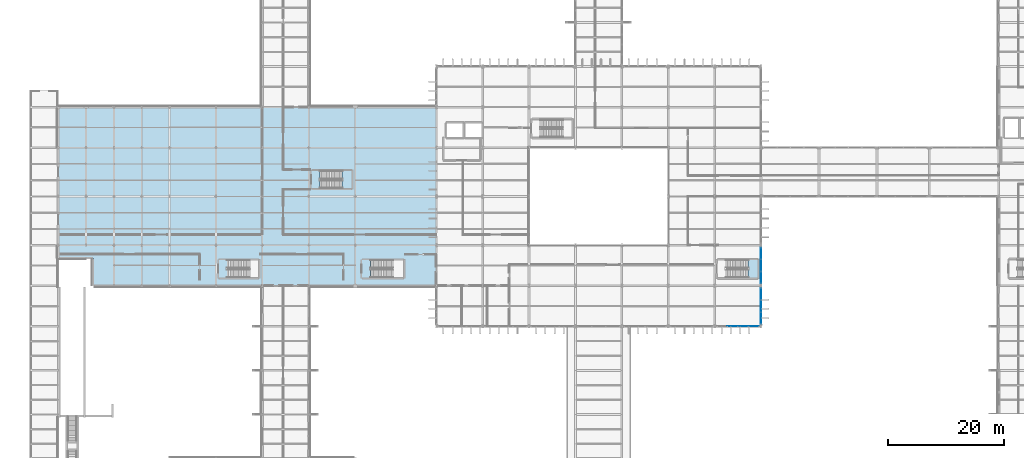
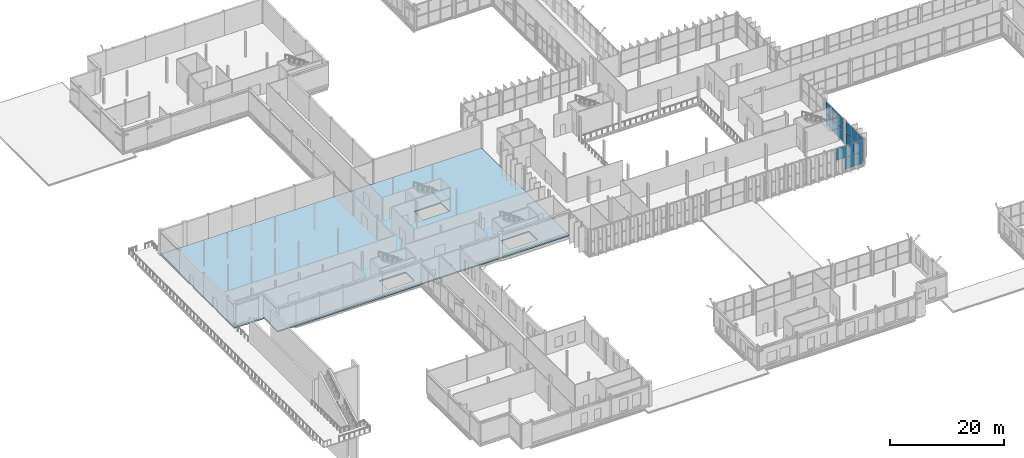
# One storey, part 101 of 147: 17 plates, 3 slabs, 5 elements without a shape of their own.
"""IFC4 building model written with IfcOpenShell, lengths in metres."""

from ifc_helpers import new_model, si_unit, direction, frame, origin, origin_2d, place, context, subcontext, project, spatial, polyline, rectangle, outline, extrude, material, layer, layer_set, type_object, element, aggregate, save


model = new_model("IFC4")

# Units and contexts
model_context = context("Model", 3, precision=1e-05, world=origin(), true_north=direction((0.0, 1.0)))
body_context = subcontext(model_context, "Body", "Model", "MODEL_VIEW")
ifc_project = project(units=[si_unit("LENGTHUNIT", "METRE"), si_unit("AREAUNIT", "SQUARE_METRE"), si_unit("VOLUMEUNIT", "CUBIC_METRE"), si_unit("PLANEANGLEUNIT", "RADIAN"), si_unit("MASSUNIT", "GRAM", prefix="KILO")], contexts=[model_context])

# Site, building, storey
site_placement = place(None, origin())
site = spatial("IfcSite", under=ifc_project, at=site_placement, CompositionType="ELEMENT")
building_placement = place(site_placement, origin())
building = spatial("IfcBuilding", under=site, at=building_placement, Name="Vekula Escarpment Museum", CompositionType="ELEMENT")
storey_placement = place(building_placement, frame((0.0, 0.0, 7.800048828125)))
storey = spatial("IfcBuildingStorey", under=building, at=storey_placement, Name="L02", CompositionType="ELEMENT", Elevation=7.800048828125)

# Curtain wall, plates
ifc_material_1 = material(Name="Aluminium thermally broken framing", Category="aluminium")
ifc_layer_1 = layer(ifc_material_1, 0.169921875)
ifc_layer_set_1 = layer_set([ifc_layer_1], Name="Aluminium thermally broken framing")
curtain_wall_type_1 = type_object("IfcCurtainWallType", Name="CW-SYS-10", PredefinedType="NOTDEFINED", material=ifc_layer_set_1)
curtain_wall_1_placement = place(storey_placement, origin())
curtain_wall_1 = element("IfcCurtainWall", 1, at=curtain_wall_1_placement, inside=storey, type_object=curtain_wall_type_1, Name="Curtain Wall CW-L02-060", PredefinedType="NOTDEFINED")
ifc_material_2 = material(Name="Double solar-control low-E glass", Category="glass")
ifc_layer_2 = layer(ifc_material_2, 0.028076171875)
ifc_layer_set_2 = layer_set([ifc_layer_2], Name="Double solar-control low-E glass")
plate_type_1 = type_object("IfcPlateType", Name="CW-PNL-28", PredefinedType="CURTAIN_PANEL", material=ifc_layer_set_2)
plate_1_placement = place(storey_placement, frame((126.0, 47.02294921875, 0.06494140625), z_axis=(0.0, 0.0, 1.0), x_axis=(0.0, 1.0, 0.0)))
plate_1 = element("IfcPlate", 2, at=plate_1_placement, type_object=plate_type_1, Name="CW-10 panel 1.1", PredefinedType="CURTAIN_PANEL", context=body_context, shape_type="SweptSolid", body=[
    extrude(rectangle(XDim=1.995849609375, YDim=0.028076171875, at=origin_2d()), origin(), (0.0, 0.0, 1.0), 2.4775390625),
])
plate_2_placement = place(storey_placement, frame((126.0, 47.02294921875, 2.607421875), z_axis=(0.0, 0.0, 1.0), x_axis=(0.0, 1.0, 0.0)))
plate_2 = element("IfcPlate", 3, at=plate_2_placement, type_object=plate_type_1, Name="CW-10 panel 1.2", PredefinedType="CURTAIN_PANEL", context=body_context, shape_type="SweptSolid", body=[
    extrude(rectangle(XDim=1.995849609375, YDim=0.028076171875, at=origin_2d()), origin(), (0.0, 0.0, 1.0), 2.4775390625),
])
plate_3_placement = place(storey_placement, frame((126.0, 49.10009765625, 0.06494140625), z_axis=(0.0, 0.0, 1.0), x_axis=(0.0, 1.0, 0.0)))
plate_3 = element("IfcPlate", 4, at=plate_3_placement, type_object=plate_type_1, Name="CW-10 panel 2.1", PredefinedType="CURTAIN_PANEL", context=body_context, shape_type="SweptSolid", body=[
    extrude(rectangle(XDim=2.0283203125, YDim=0.028076171875, at=origin_2d()), origin(), (0.0, 0.0, 1.0), 2.4775390625),
])
plate_4_placement = place(storey_placement, frame((126.0, 49.10009765625, 2.607421875), z_axis=(0.0, 0.0, 1.0), x_axis=(0.0, 1.0, 0.0)))
plate_4 = element("IfcPlate", 5, at=plate_4_placement, type_object=plate_type_1, Name="CW-10 panel 2.2", PredefinedType="CURTAIN_PANEL", context=body_context, shape_type="SweptSolid", body=[
    extrude(rectangle(XDim=2.0283203125, YDim=0.028076171875, at=origin_2d()), origin(), (0.0, 0.0, 1.0), 2.4775390625),
])
plate_5_placement = place(storey_placement, frame((126.0, 51.177001953125, 0.06494140625), z_axis=(0.0, 0.0, 1.0), x_axis=(0.0, 1.0, 0.0)))
plate_5 = element("IfcPlate", 6, at=plate_5_placement, type_object=plate_type_1, Name="CW-10 panel 3.1", PredefinedType="CURTAIN_PANEL", context=body_context, shape_type="SweptSolid", body=[
    extrude(rectangle(XDim=1.995849609375, YDim=0.028076171875, at=origin_2d()), origin(), (0.0, 0.0, 1.0), 2.4775390625),
])
plate_6_placement = place(storey_placement, frame((126.0, 51.177001953125, 2.607421875), z_axis=(0.0, 0.0, 1.0), x_axis=(0.0, 1.0, 0.0)))
plate_6 = element("IfcPlate", 7, at=plate_6_placement, type_object=plate_type_1, Name="CW-10 panel 3.2", PredefinedType="CURTAIN_PANEL", context=body_context, shape_type="SweptSolid", body=[
    extrude(rectangle(XDim=1.995849609375, YDim=0.028076171875, at=origin_2d()), origin(), (0.0, 0.0, 1.0), 2.4775390625),
])
aggregate(curtain_wall_1, [plate_1, plate_2, plate_3, plate_4, plate_5, plate_6])

ifc_material_3 = material(Name="Aluminium thermally broken framing", Category="aluminium")
ifc_layer_3 = layer(ifc_material_3, 0.159912109375)
ifc_layer_set_3 = layer_set([ifc_layer_3], Name="Aluminium thermally broken framing")
curtain_wall_type_2 = type_object("IfcCurtainWallType", Name="CW-SYS-01", PredefinedType="NOTDEFINED", material=ifc_layer_set_3)
curtain_wall_2_placement = place(storey_placement, origin())
curtain_wall_2 = element("IfcCurtainWall", 8, at=curtain_wall_2_placement, inside=storey, type_object=curtain_wall_type_2, Name="Curtain Wall CW-L02-061", PredefinedType="NOTDEFINED")
ifc_material_4 = material(Name="Acoustic laminated double low-E glass", Category="glass")
ifc_layer_4 = layer(ifc_material_4, 0.031982421875)
ifc_layer_set_4 = layer_set([ifc_layer_4], Name="Acoustic laminated double low-E glass")
plate_type_2 = type_object("IfcPlateType", Name="CW-PNL-32", PredefinedType="CURTAIN_PANEL", material=ifc_layer_set_4)
plate_7_placement = place(storey_placement, frame((126.0, 54.02294921875, 0.06494140625), z_axis=(0.0, 0.0, 1.0), x_axis=(0.0, 1.0, 0.0)))
plate_7 = element("IfcPlate", 9, at=plate_7_placement, type_object=plate_type_2, Name="CW-01 panel 1.1", PredefinedType="CURTAIN_PANEL", context=body_context, shape_type="SweptSolid", body=[
    extrude(rectangle(XDim=1.995849609375, YDim=0.031982421875, at=origin_2d()), origin(), (0.0, 0.0, 1.0), 2.4775390625),
])
plate_8_placement = place(storey_placement, frame((126.0, 54.02294921875, 2.607421875), z_axis=(0.0, 0.0, 1.0), x_axis=(0.0, 1.0, 0.0)))
plate_8 = element("IfcPlate", 10, at=plate_8_placement, type_object=plate_type_2, Name="CW-01 panel 1.2", PredefinedType="CURTAIN_PANEL", context=body_context, shape_type="SweptSolid", body=[
    extrude(rectangle(XDim=1.995849609375, YDim=0.031982421875, at=origin_2d()), origin(), (0.0, 0.0, 1.0), 2.4775390625),
])
plate_9_placement = place(storey_placement, frame((126.0, 56.10009765625, 0.06494140625), z_axis=(0.0, 0.0, 1.0), x_axis=(0.0, 1.0, 0.0)))
plate_9 = element("IfcPlate", 11, at=plate_9_placement, type_object=plate_type_2, Name="CW-01 panel 2.1", PredefinedType="CURTAIN_PANEL", context=body_context, shape_type="SweptSolid", body=[
    extrude(rectangle(XDim=2.0283203125, YDim=0.031982421875, at=origin_2d()), origin(), (0.0, 0.0, 1.0), 2.4775390625),
])
plate_10_placement = place(storey_placement, frame((126.0, 56.10009765625, 2.607421875), z_axis=(0.0, 0.0, 1.0), x_axis=(0.0, 1.0, 0.0)))
plate_10 = element("IfcPlate", 12, at=plate_10_placement, type_object=plate_type_2, Name="CW-01 panel 2.2", PredefinedType="CURTAIN_PANEL", context=body_context, shape_type="SweptSolid", body=[
    extrude(rectangle(XDim=2.0283203125, YDim=0.031982421875, at=origin_2d()), origin(), (0.0, 0.0, 1.0), 2.4775390625),
])
plate_11_placement = place(storey_placement, frame((126.0, 58.177001953125, 0.06494140625), z_axis=(0.0, 0.0, 1.0), x_axis=(0.0, 1.0, 0.0)))
plate_11 = element("IfcPlate", 13, at=plate_11_placement, type_object=plate_type_2, Name="CW-01 panel 3.1", PredefinedType="CURTAIN_PANEL", context=body_context, shape_type="SweptSolid", body=[
    extrude(rectangle(XDim=1.995849609375, YDim=0.031982421875, at=origin_2d()), origin(), (0.0, 0.0, 1.0), 2.4775390625),
])
plate_12_placement = place(storey_placement, frame((126.0, 58.177001953125, 2.607421875), z_axis=(0.0, 0.0, 1.0), x_axis=(0.0, 1.0, 0.0)))
plate_12 = element("IfcPlate", 14, at=plate_12_placement, type_object=plate_type_2, Name="CW-01 panel 3.2", PredefinedType="CURTAIN_PANEL", context=body_context, shape_type="SweptSolid", body=[
    extrude(rectangle(XDim=1.995849609375, YDim=0.031982421875, at=origin_2d()), origin(), (0.0, 0.0, 1.0), 2.4775390625),
])
aggregate(curtain_wall_2, [plate_7, plate_8, plate_9, plate_10, plate_11, plate_12])

ifc_material_5 = material(Name="Aluminium thermally broken framing", Category="aluminium")
ifc_layer_5 = layer(ifc_material_5, 0.14990234375)
ifc_layer_set_5 = layer_set([ifc_layer_5], Name="Aluminium thermally broken framing")
curtain_wall_type_3 = type_object("IfcCurtainWallType", Name="CW-SYS-09", PredefinedType="NOTDEFINED", material=ifc_layer_set_5)
curtain_wall_3_placement = place(storey_placement, origin())
curtain_wall_3 = element("IfcCurtainWall", 15, at=curtain_wall_3_placement, inside=storey, type_object=curtain_wall_type_3, Name="Curtain Wall CW-L02-059", PredefinedType="NOTDEFINED")
ifc_material_6 = material(Name="Insulated bronze spandrel glass panel", Category="glass")
ifc_layer_6 = layer(ifc_material_6, 0.0400390625)
ifc_layer_set_6 = layer_set([ifc_layer_6], Name="Insulated bronze spandrel glass panel")
plate_type_3 = type_object("IfcPlateType", Name="CW-PNL-40", PredefinedType="CURTAIN_PANEL", material=ifc_layer_set_6)
plate_13_placement = place(storey_placement, frame((121.090087890625, 45.60009765625, 2.607421875), z_axis=(0.0, 0.0, 1.0), x_axis=(1.0, 0.0, 0.0)))
plate_13 = element("IfcPlate", 16, at=plate_13_placement, type_object=plate_type_3, Name="CW-09 panel 2.2", PredefinedType="CURTAIN_PANEL", context=body_context, shape_type="SweptSolid", body=[
    extrude(rectangle(XDim=1.7548828125, YDim=0.0400390625, at=origin_2d()), origin(), (0.0, 0.0, 1.0), 2.4775390625),
])
plate_14_placement = place(storey_placement, frame((122.909912109375, 45.60009765625, 0.06494140625), z_axis=(0.0, 0.0, 1.0), x_axis=(1.0, 0.0, 0.0)))
plate_14 = element("IfcPlate", 17, at=plate_14_placement, type_object=plate_type_3, Name="CW-09 panel 3.1", PredefinedType="CURTAIN_PANEL", context=body_context, shape_type="SweptSolid", body=[
    extrude(rectangle(XDim=1.7548828125, YDim=0.0400390625, at=origin_2d()), origin(), (0.0, 0.0, 1.0), 2.4775390625),
])
plate_15_placement = place(storey_placement, frame((122.909912109375, 45.60009765625, 2.607421875), z_axis=(0.0, 0.0, 1.0), x_axis=(1.0, 0.0, 0.0)))
plate_15 = element("IfcPlate", 18, at=plate_15_placement, type_object=plate_type_3, Name="CW-09 panel 3.2", PredefinedType="CURTAIN_PANEL", context=body_context, shape_type="SweptSolid", body=[
    extrude(rectangle(XDim=1.7548828125, YDim=0.0400390625, at=origin_2d()), origin(), (0.0, 0.0, 1.0), 2.4775390625),
])
plate_16_placement = place(storey_placement, frame((124.7138671875, 45.60009765625, 0.06494140625), z_axis=(0.0, 0.0, 1.0), x_axis=(1.0, 0.0, 0.0)))
plate_16 = element("IfcPlate", 19, at=plate_16_placement, type_object=plate_type_3, Name="CW-09 panel 4.1", PredefinedType="CURTAIN_PANEL", context=body_context, shape_type="SweptSolid", body=[
    extrude(rectangle(XDim=1.722412109375, YDim=0.0400390625, at=origin_2d()), origin(), (0.0, 0.0, 1.0), 2.4775390625),
])
plate_17_placement = place(storey_placement, frame((124.7138671875, 45.60009765625, 2.607421875), z_axis=(0.0, 0.0, 1.0), x_axis=(1.0, 0.0, 0.0)))
plate_17 = element("IfcPlate", 20, at=plate_17_placement, type_object=plate_type_3, Name="CW-09 panel 4.2", PredefinedType="CURTAIN_PANEL", context=body_context, shape_type="SweptSolid", body=[
    extrude(rectangle(XDim=1.722412109375, YDim=0.0400390625, at=origin_2d()), origin(), (0.0, 0.0, 1.0), 2.4775390625),
])
aggregate(curtain_wall_3, [plate_13, plate_14, plate_15, plate_16, plate_17])

# Slab
ifc_material_7 = material(Name="Concrete C35/45", Category="concrete")
ifc_layer_7 = layer(ifc_material_7, 0.260009765625)
ifc_layer_set_7 = layer_set([ifc_layer_7], Name="Concrete C35/45")
slab_type_1 = type_object("IfcSlabType", Name="SL-FLR-260", PredefinedType="FLOOR", material=ifc_layer_set_7)
slab_1_placement = place(storey_placement, frame((0.0, 0.0, -0.260009765625)))
element("IfcSlab", 21, at=slab_1_placement, inside=storey, type_object=slab_type_1, Name="Floor Slab W-L02-V2-W", PredefinedType="FLOOR", context=body_context, shape_type="SweptSolid", body=[
    extrude(outline(polyline([(10.800048828125, 52.60009765625), (70.0, 52.60009765625), (70.0, 83.39990234375), (4.800048828125, 83.39990234375), (4.800048828125, 57.39990234375), (10.800048828125, 57.39990234375), (10.800048828125, 52.60009765625)]), holes=[polyline([(58.679931640625, 54.0), (64.39990234375, 54.0), (64.39990234375, 57.0400390625), (58.679931640625, 57.0400390625), (58.679931640625, 54.0)]), polyline([(33.97998046875, 54.0), (39.39990234375, 54.0), (39.39990234375, 57.0400390625), (33.97998046875, 57.0400390625), (33.97998046875, 54.0)]), polyline([(49.97998046875, 69.39990234375), (55.39990234375, 69.39990234375), (55.39990234375, 72.43994140625), (49.97998046875, 72.43994140625), (49.97998046875, 69.39990234375)])]), origin(), (0.0, 0.0, 1.0), 0.260009765625),
])

# Stair, slab
ifc_material_8 = material(Name="Concrete C35/45", Category="concrete")
stair_type = type_object("IfcStairType", Name="STR-TYPE-142", PredefinedType="HALF_TURN_STAIR", material=ifc_material_8)
stair_1_placement = place(storey_placement, origin())
stair_1 = element("IfcStair", 22, at=stair_1_placement, inside=storey, type_object=stair_type, Name="L02 Great Hall East Exit Stair ST-08", PredefinedType="HALF_TURN_STAIR")
ifc_material_9 = material(Name="Concrete C35/45", Category="concrete")
ifc_layer_8 = layer(ifc_material_9, 0.199951171875)
ifc_layer_set_8 = layer_set([ifc_layer_8], Name="Concrete C35/45")
slab_type_2 = type_object("IfcSlabType", Name="SL-LAND-200", PredefinedType="LANDING", material=ifc_layer_set_8)
slab_2_placement = place(storey_placement, frame((0.0, 0.0, 2.5)))
slab_2 = element("IfcSlab", 23, at=slab_2_placement, type_object=slab_type_2, Name="ST-08 landing 1", PredefinedType="LANDING", context=body_context, shape_type="SweptSolid", body=[
    extrude(outline(polyline([(123.75, 53.909912109375), (125.489990234375, 53.909912109375), (125.489990234375, 57.1298828125), (123.75, 57.1298828125), (123.75, 53.909912109375)])), origin(), (0.0, 0.0, 1.0), 0.199951171875),
])
aggregate(stair_1, [slab_2])

stair_2_placement = place(storey_placement, origin())
stair_2 = element("IfcStair", 24, at=stair_2_placement, inside=storey, type_object=stair_type, Name="L02 Plinth Mid Exit Stair ST-10", PredefinedType="HALF_TURN_STAIR")
slab_3_placement = place(storey_placement, frame((0.0, 0.0, 2.5)))
slab_3 = element("IfcSlab", 25, at=slab_3_placement, type_object=slab_type_2, Name="ST-10 landing 1", PredefinedType="LANDING", context=body_context, shape_type="SweptSolid", body=[
    extrude(outline(polyline([(53.75, 69.31005859375), (55.489990234375, 69.31005859375), (55.489990234375, 72.530029296875), (53.75, 72.530029296875), (53.75, 69.31005859375)])), origin(), (0.0, 0.0, 1.0), 0.199951171875),
])
aggregate(stair_2, [slab_3])

save(model, "model.ifc")
